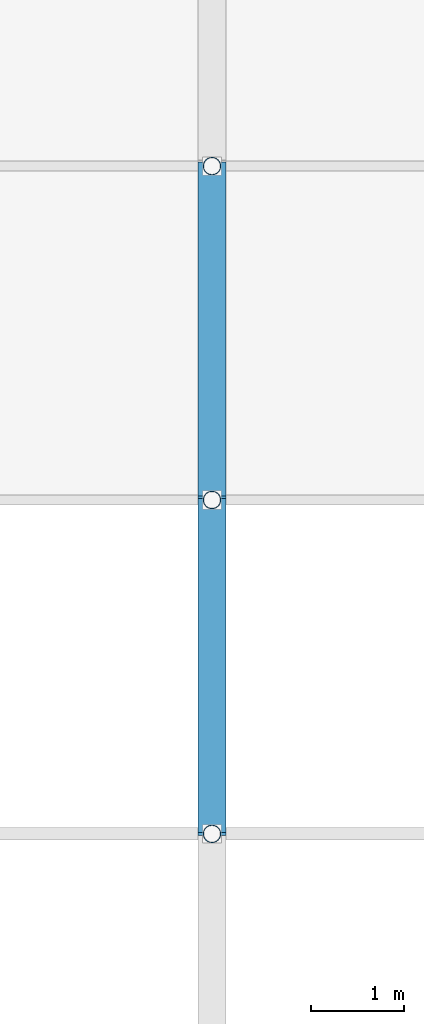
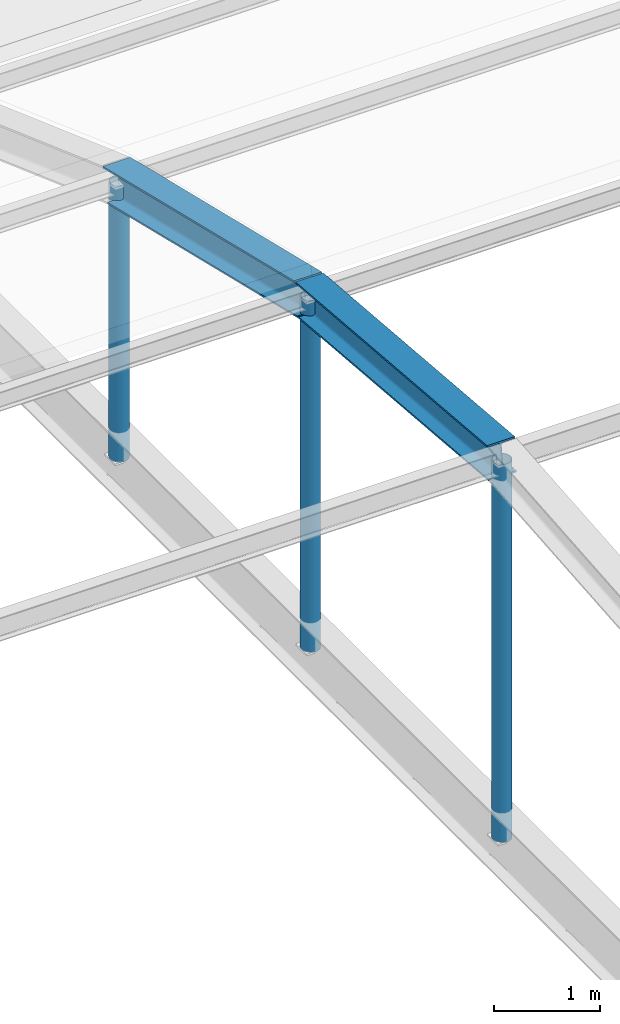
# One storey, part 181 of 239: 3 members, 2 beams.
"""IFC4 building model written with IfcOpenShell, lengths in metres."""

from ifc_helpers import new_model, si_unit, direction, frame, origin, origin_2d, place, context, subcontext, project, spatial, hollow_circle, i_section, extrude, material, material_profile, profile_set, type_object, element, save


model = new_model("IFC4")

# Units and contexts
model_context = context("Model", 3, precision=1e-05, world=origin(), true_north=direction((0.0, 1.0)))
body_context = subcontext(model_context, "Body", "Model", "MODEL_VIEW")
ifc_project = project(units=[si_unit("LENGTHUNIT", "METRE"), si_unit("AREAUNIT", "SQUARE_METRE"), si_unit("VOLUMEUNIT", "CUBIC_METRE"), si_unit("PLANEANGLEUNIT", "RADIAN"), si_unit("MASSUNIT", "GRAM", prefix="KILO")], contexts=[model_context])

# Site, building, storey
site_placement = place(None, origin())
site = spatial("IfcSite", under=ifc_project, at=site_placement, CompositionType="ELEMENT")
building_placement = place(site_placement, origin())
building = spatial("IfcBuilding", under=site, at=building_placement, Name="Dunvalen Ferry Terminal", CompositionType="ELEMENT")
storey_placement = place(building_placement, frame((0.0, 0.0, 9.840087890625)))
storey = spatial("IfcBuildingStorey", under=building, at=storey_placement, Name="L02", CompositionType="ELEMENT", Elevation=9.840087890625)

# Beams
ifc_material = material(Name="Steel S355", Category="steel")
ifc_material_profile_1 = material_profile(ifc_material, i_section(OverallWidth=0.300048828125, OverallDepth=0.389892578125, WebThickness=0.010986328125, FlangeThickness=0.01904296875, FilletRadius=0.027099609375, at=origin_2d()), Name="Steel S355")
ifc_profile_set_1 = profile_set([ifc_material_profile_1], Name="Steel S355")
beam_type = type_object("IfcBeamType", Name="STR-BM-HEA400", PredefinedType="BEAM", material=ifc_profile_set_1)
beam_1_placement = place(storey_placement, frame((156.0, 72.0, 4.0), z_axis=(0.0, 0.996437742755, -0.084331635898), x_axis=(-1.0, 0.0, 0.0)))
element("IfcBeam", 1, at=beam_1_placement, inside=storey, type_object=beam_type, Name="Arrivals Hall Barrel-Vault Arch Rib 05.5", PredefinedType="BEAM", context=body_context, shape_type="SweptSolid", body=[
    extrude(i_section(OverallWidth=0.300048828125, OverallDepth=0.389892578125, WebThickness=0.010986328125, FlangeThickness=0.01904296875, FilletRadius=0.027099609375, at=origin_2d()), origin(), (0.0, 0.0, 1.0), 3.613037109375),
])
beam_2_placement = place(storey_placement, frame((156.0, 75.60009765625, 3.6953125), z_axis=(0.0, 0.972204462661, -0.234133472154), x_axis=(-1.0, 0.0, 0.0)))
element("IfcBeam", 2, at=beam_2_placement, inside=storey, type_object=beam_type, Name="Arrivals Hall Barrel-Vault Arch Rib 05.6", PredefinedType="BEAM", context=body_context, shape_type="SweptSolid", body=[
    extrude(i_section(OverallWidth=0.300048828125, OverallDepth=0.389892578125, WebThickness=0.010986328125, FlangeThickness=0.01904296875, FilletRadius=0.027099609375, at=origin_2d()), origin(), (0.0, 0.0, 1.0), 3.702880859375),
])

# Members
ifc_material_profile_2 = material_profile(ifc_material, hollow_circle(Radius=0.096923828125, WallThickness=0.008056640625, at=origin_2d()), Name="Steel S355")
ifc_profile_set_2 = profile_set([ifc_material_profile_2], Name="Steel S355")
member_type = type_object("IfcMemberType", Name="STR-MB-CHS193", PredefinedType="STRUT", material=ifc_profile_set_2)
member_1_placement = place(storey_placement, frame((156.0, 72.0, -0.340087890625), z_axis=(0.0, 0.0, 1.0), x_axis=(1.0, 0.0, 0.0)))
element("IfcMember", 3, at=member_1_placement, inside=storey, type_object=member_type, Name="Arrivals Hall Vault Hanger 05.4", PredefinedType="STRUT", context=body_context, shape_type="SweptSolid", body=[
    extrude(hollow_circle(Radius=0.096923828125, WallThickness=0.008056640625, at=origin_2d()), origin(), (0.0, 0.0, 1.0), 4.340087890625),
])
member_2_placement = place(storey_placement, frame((156.0, 75.60009765625, -0.340087890625), z_axis=(0.0, 0.0, 1.0), x_axis=(1.0, 0.0, 0.0)))
element("IfcMember", 4, at=member_2_placement, inside=storey, type_object=member_type, Name="Arrivals Hall Vault Hanger 05.5", PredefinedType="STRUT", context=body_context, shape_type="SweptSolid", body=[
    extrude(hollow_circle(Radius=0.096923828125, WallThickness=0.008056640625, at=origin_2d()), origin(), (0.0, 0.0, 1.0), 4.035400390625),
])
member_3_placement = place(storey_placement, frame((156.0, 79.199951171875, -0.340087890625), z_axis=(0.0, 0.0, 1.0), x_axis=(1.0, 0.0, 0.0)))
element("IfcMember", 5, at=member_3_placement, inside=storey, type_object=member_type, Name="Arrivals Hall Vault Hanger 05.6", PredefinedType="STRUT", context=body_context, shape_type="SweptSolid", body=[
    extrude(hollow_circle(Radius=0.096923828125, WallThickness=0.008056640625, at=origin_2d()), origin(), (0.0, 0.0, 1.0), 3.16845703125),
])

save(model, "model.ifc")
